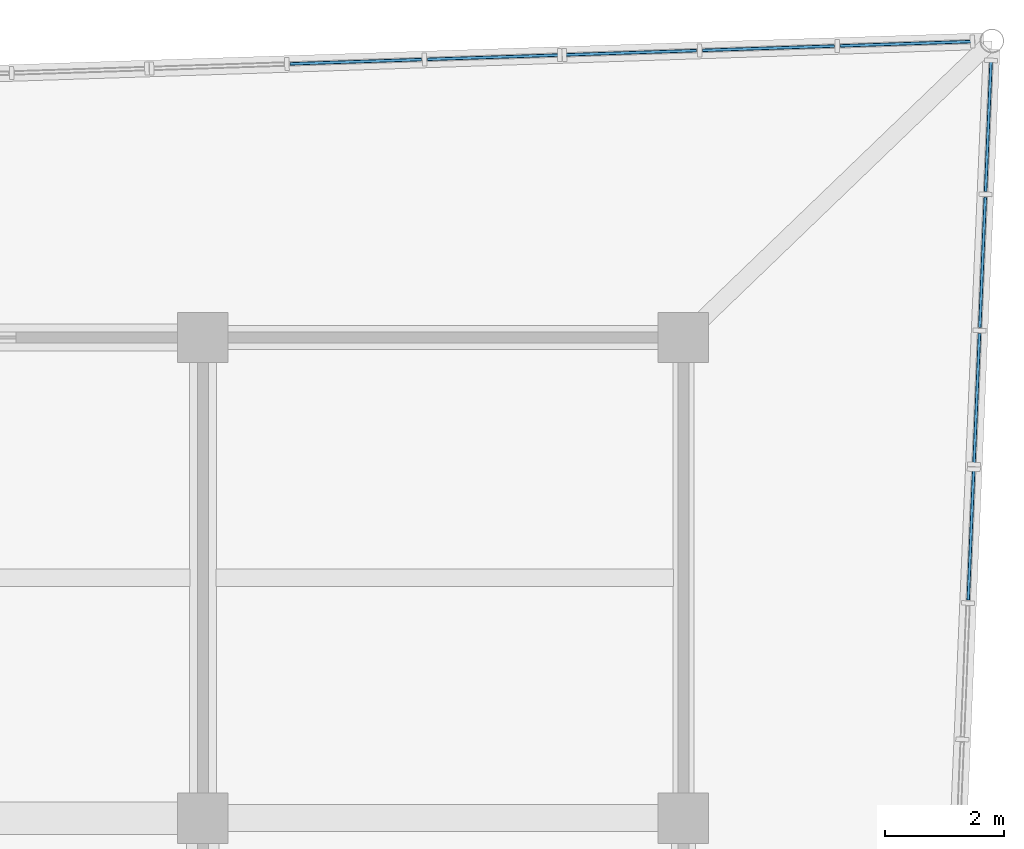
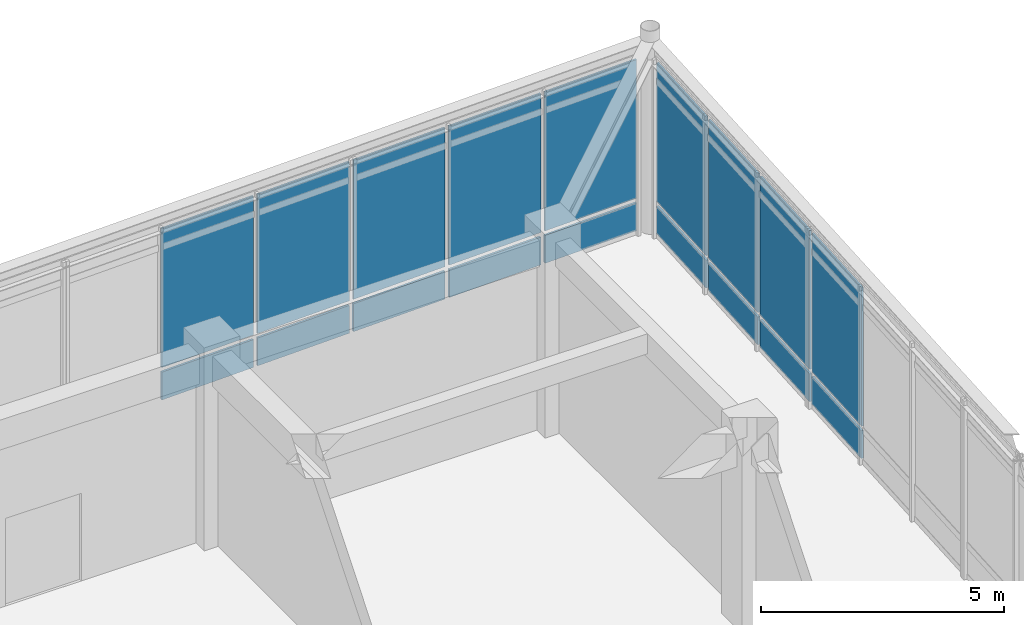
# One storey, part 57 of 99: 18 plates, 4 elements without a shape of their own.
"""IFC4 building model written with IfcOpenShell, lengths in metres."""

from ifc_helpers import new_model, si_unit, direction, frame, origin, origin_2d, place, context, subcontext, project, spatial, rectangle, extrude, material, layer, layer_set, type_object, element, aggregate, save


model = new_model("IFC4")

# Units and contexts
model_context = context("Model", 3, precision=1e-05, world=origin(), true_north=direction((0.0, 1.0)))
body_context = subcontext(model_context, "Body", "Model", "MODEL_VIEW")
ifc_project = project(units=[si_unit("LENGTHUNIT", "METRE"), si_unit("AREAUNIT", "SQUARE_METRE"), si_unit("VOLUMEUNIT", "CUBIC_METRE"), si_unit("PLANEANGLEUNIT", "RADIAN"), si_unit("MASSUNIT", "GRAM", prefix="KILO")], contexts=[model_context])

# Site, building, storey
site_placement = place(None, origin())
site = spatial("IfcSite", under=ifc_project, at=site_placement, CompositionType="ELEMENT")
building_placement = place(site_placement, origin())
building = spatial("IfcBuilding", under=site, at=building_placement, Name="Vaudrelin Polytechnic", CompositionType="ELEMENT")
storey_placement = place(building_placement, origin())
storey = spatial("IfcBuildingStorey", under=building, at=storey_placement, Name="L00", CompositionType="ELEMENT", Elevation=0.0)

# Curtain wall, plates
ifc_material_1 = material(Name="Thermally broken anodised aluminium AA 6063-T6 and low-e triple glazing", Category="aluminium")
ifc_layer_1 = layer(ifc_material_1, 0.199951171875)
ifc_layer_set_1 = layer_set([ifc_layer_1], Name="Thermally broken anodised aluminium AA 6063-T6 and low-e triple glazing")
curtain_wall_type = type_object("IfcCurtainWallType", Name="CW-CW-LAB", PredefinedType="USERDEFINED", material=ifc_layer_set_1)
curtain_wall_1_placement = place(storey_placement, origin())
curtain_wall_1 = element("IfcCurtainWall", 1, at=curtain_wall_1_placement, inside=storey, type_object=curtain_wall_type, Name="Curtain wall L00 NEP_2_1", ObjectType="CURTAIN WALL", PredefinedType="USERDEFINED")
ifc_material_2 = material(Name="Insulated ceramic-frit spandrel glass panel", Category="glass")
ifc_layer_2 = layer(ifc_material_2, 0.052001953125)
ifc_layer_set_2 = layer_set([ifc_layer_2], Name="Insulated ceramic-frit spandrel glass panel")
plate_type_1 = type_object("IfcPlateType", Name="PLT-GLZ-SPAND", PredefinedType="CURTAIN_PANEL", material=ifc_layer_set_2)
plate_1_placement = place(storey_placement, frame((164.57470703125, 126.149169921875, 0.08984375), z_axis=(0.0, 0.0, 1.0), x_axis=(0.999465454284, 0.032692593862, 0.0)))
plate_1 = element("IfcPlate", 2, at=plate_1_placement, type_object=plate_type_1, Name="NEP_2_1 spandrel panel 2", PredefinedType="CURTAIN_PANEL", context=body_context, shape_type="SweptSolid", body=[
    extrude(rectangle(XDim=2.220703125, YDim=0.052001953125, at=origin_2d()), origin(), (0.0, 0.0, 1.0), 0.699951171875),
])
plate_2_placement = place(storey_placement, frame((166.89404296875, 126.22509765625, 0.08984375), z_axis=(0.0, 0.0, 1.0), x_axis=(0.999465454284, 0.032692593862, 0.0)))
plate_2 = element("IfcPlate", 3, at=plate_2_placement, type_object=plate_type_1, Name="NEP_2_1 spandrel panel 3", PredefinedType="CURTAIN_PANEL", context=body_context, shape_type="SweptSolid", body=[
    extrude(rectangle(XDim=2.220703125, YDim=0.052001953125, at=origin_2d()), origin(), (0.0, 0.0, 1.0), 0.699951171875),
])

curtain_wall_2_placement = place(storey_placement, origin())
curtain_wall_2 = element("IfcCurtainWall", 4, at=curtain_wall_2_placement, inside=storey, type_object=curtain_wall_type, Name="Curtain wall L00 NEP_2_2", ObjectType="CURTAIN WALL", PredefinedType="USERDEFINED")
plate_3_placement = place(storey_placement, frame((169.21337890625, 126.30078125, 0.08984375), z_axis=(0.0, 0.0, 1.0), x_axis=(0.999465454284, 0.032692593862, 0.0)))
plate_3 = element("IfcPlate", 5, at=plate_3_placement, type_object=plate_type_1, Name="NEP_2_2 spandrel panel 1", PredefinedType="CURTAIN_PANEL", context=body_context, shape_type="SweptSolid", body=[
    extrude(rectangle(XDim=2.220703125, YDim=0.052001953125, at=origin_2d()), origin(), (0.0, 0.0, 1.0), 0.699951171875),
])
plate_4_placement = place(storey_placement, frame((171.53271484375, 126.376708984375, 0.08984375), z_axis=(0.0, 0.0, 1.0), x_axis=(0.999465454284, 0.032692593862, 0.0)))
plate_4 = element("IfcPlate", 6, at=plate_4_placement, type_object=plate_type_1, Name="NEP_2_2 spandrel panel 2", PredefinedType="CURTAIN_PANEL", context=body_context, shape_type="SweptSolid", body=[
    extrude(rectangle(XDim=2.220703125, YDim=0.052001953125, at=origin_2d()), origin(), (0.0, 0.0, 1.0), 0.699951171875),
])
plate_5_placement = place(storey_placement, frame((173.85205078125, 126.45263671875, 0.08984375), z_axis=(0.0, 0.0, 1.0), x_axis=(0.999465454284, 0.032692593862, 0.0)))
plate_5 = element("IfcPlate", 7, at=plate_5_placement, type_object=plate_type_1, Name="NEP_2_2 spandrel panel 3", PredefinedType="CURTAIN_PANEL", context=body_context, shape_type="SweptSolid", body=[
    extrude(rectangle(XDim=2.220703125, YDim=0.052001953125, at=origin_2d()), origin(), (0.0, 0.0, 1.0), 0.699951171875),
])

curtain_wall_3_placement = place(storey_placement, origin())
curtain_wall_3 = element("IfcCurtainWall", 8, at=curtain_wall_3_placement, inside=storey, type_object=curtain_wall_type, Name="Curtain wall L00 NEP_3_0", ObjectType="CURTAIN WALL", PredefinedType="USERDEFINED")
plate_6_placement = place(storey_placement, frame((175.239013671875, 125.063232421875, 0.08984375), z_axis=(0.0, 0.0, 1.0), x_axis=(-0.042419882824, -0.999099871655, 0.0)))
plate_6 = element("IfcPlate", 9, at=plate_6_placement, type_object=plate_type_1, Name="NEP_3_0 spandrel panel 1", PredefinedType="CURTAIN_PANEL", context=body_context, shape_type="SweptSolid", body=[
    extrude(rectangle(XDim=2.19921875, YDim=0.052001953125, at=origin_2d()), origin(), (0.0, 0.0, 1.0), 0.699951171875),
])
plate_7_placement = place(storey_placement, frame((175.1416015625, 122.76611328125, 0.08984375), z_axis=(0.0, 0.0, 1.0), x_axis=(-0.042419882824, -0.999099871655, 0.0)))
plate_7 = element("IfcPlate", 10, at=plate_7_placement, type_object=plate_type_1, Name="NEP_3_0 spandrel panel 2", PredefinedType="CURTAIN_PANEL", context=body_context, shape_type="SweptSolid", body=[
    extrude(rectangle(XDim=2.19921875, YDim=0.052001953125, at=origin_2d()), origin(), (0.0, 0.0, 1.0), 0.699951171875),
])
plate_8_placement = place(storey_placement, frame((175.0439453125, 120.468994140625, 0.08984375), z_axis=(0.0, 0.0, 1.0), x_axis=(-0.042419882824, -0.999099871655, 0.0)))
plate_8 = element("IfcPlate", 11, at=plate_8_placement, type_object=plate_type_1, Name="NEP_3_0 spandrel panel 3", PredefinedType="CURTAIN_PANEL", context=body_context, shape_type="SweptSolid", body=[
    extrude(rectangle(XDim=2.19921875, YDim=0.052001953125, at=origin_2d()), origin(), (0.0, 0.0, 1.0), 0.699951171875),
])

# Curtain wall, plate
curtain_wall_4_placement = place(storey_placement, origin())
curtain_wall_4 = element("IfcCurtainWall", 12, at=curtain_wall_4_placement, inside=storey, type_object=curtain_wall_type, Name="Curtain wall L00 NEP_3_1", ObjectType="CURTAIN WALL", PredefinedType="USERDEFINED")
plate_9_placement = place(storey_placement, frame((174.9462890625, 118.171875, 0.08984375), z_axis=(0.0, 0.0, 1.0), x_axis=(-0.042405411318, -0.999100485983, 0.0)))
plate_9 = element("IfcPlate", 13, at=plate_9_placement, type_object=plate_type_1, Name="NEP_3_1 spandrel panel 1", PredefinedType="CURTAIN_PANEL", context=body_context, shape_type="SweptSolid", body=[
    extrude(rectangle(XDim=2.19921875, YDim=0.052001953125, at=origin_2d()), origin(), (0.0, 0.0, 1.0), 0.699951171875),
])

# Plate
ifc_material_3 = material(Name="Triple low-e argon insulated glazing unit", Category="glass")
ifc_layer_3 = layer(ifc_material_3, 0.0439453125)
ifc_layer_set_3 = layer_set([ifc_layer_3], Name="Triple low-e argon insulated glazing unit")
plate_type_2 = type_object("IfcPlateType", Name="PLT-GLZ-TRIPLE", PredefinedType="CURTAIN_PANEL", material=ifc_layer_set_3)
plate_10_placement = place(storey_placement, frame((164.57470703125, 126.149169921875, 0.89990234375), z_axis=(0.0, 0.0, 1.0), x_axis=(0.999465454284, 0.032692593862, 0.0)))
plate_10 = element("IfcPlate", 14, at=plate_10_placement, type_object=plate_type_2, Name="NEP_2_1 vision panel 2", PredefinedType="CURTAIN_PANEL", context=body_context, shape_type="SweptSolid", body=[
    extrude(rectangle(XDim=2.220703125, YDim=0.0439453125, at=origin_2d()), origin(), (0.0, 0.0, 1.0), 3.489990234375),
])

plate_11_placement = place(storey_placement, frame((166.89404296875, 126.22509765625, 0.89990234375), z_axis=(0.0, 0.0, 1.0), x_axis=(0.999465454284, 0.032692593862, 0.0)))
plate_11 = element("IfcPlate", 15, at=plate_11_placement, type_object=plate_type_2, Name="NEP_2_1 vision panel 3", PredefinedType="CURTAIN_PANEL", context=body_context, shape_type="SweptSolid", body=[
    extrude(rectangle(XDim=2.220703125, YDim=0.0439453125, at=origin_2d()), origin(), (0.0, 0.0, 1.0), 3.489990234375),
])

aggregate(curtain_wall_1, [plate_1, plate_10, plate_2, plate_11])

plate_12_placement = place(storey_placement, frame((169.21337890625, 126.30078125, 0.89990234375), z_axis=(0.0, 0.0, 1.0), x_axis=(0.999465454284, 0.032692593862, 0.0)))
plate_12 = element("IfcPlate", 16, at=plate_12_placement, type_object=plate_type_2, Name="NEP_2_2 vision panel 1", PredefinedType="CURTAIN_PANEL", context=body_context, shape_type="SweptSolid", body=[
    extrude(rectangle(XDim=2.220703125, YDim=0.0439453125, at=origin_2d()), origin(), (0.0, 0.0, 1.0), 3.489990234375),
])

plate_13_placement = place(storey_placement, frame((171.53271484375, 126.376708984375, 0.89990234375), z_axis=(0.0, 0.0, 1.0), x_axis=(0.999465454284, 0.032692593862, 0.0)))
plate_13 = element("IfcPlate", 17, at=plate_13_placement, type_object=plate_type_2, Name="NEP_2_2 vision panel 2", PredefinedType="CURTAIN_PANEL", context=body_context, shape_type="SweptSolid", body=[
    extrude(rectangle(XDim=2.220703125, YDim=0.0439453125, at=origin_2d()), origin(), (0.0, 0.0, 1.0), 3.489990234375),
])

plate_14_placement = place(storey_placement, frame((173.85205078125, 126.45263671875, 0.89990234375), z_axis=(0.0, 0.0, 1.0), x_axis=(0.999465454284, 0.032692593862, 0.0)))
plate_14 = element("IfcPlate", 18, at=plate_14_placement, type_object=plate_type_2, Name="NEP_2_2 vision panel 3", PredefinedType="CURTAIN_PANEL", context=body_context, shape_type="SweptSolid", body=[
    extrude(rectangle(XDim=2.220703125, YDim=0.0439453125, at=origin_2d()), origin(), (0.0, 0.0, 1.0), 3.489990234375),
])

aggregate(curtain_wall_2, [plate_3, plate_12, plate_4, plate_13, plate_5, plate_14])

plate_15_placement = place(storey_placement, frame((175.239013671875, 125.063232421875, 0.89990234375), z_axis=(0.0, 0.0, 1.0), x_axis=(-0.042419882824, -0.999099871655, 0.0)))
plate_15 = element("IfcPlate", 19, at=plate_15_placement, type_object=plate_type_2, Name="NEP_3_0 vision panel 1", PredefinedType="CURTAIN_PANEL", context=body_context, shape_type="SweptSolid", body=[
    extrude(rectangle(XDim=2.19921875, YDim=0.0439453125, at=origin_2d()), origin(), (0.0, 0.0, 1.0), 3.489990234375),
])

plate_16_placement = place(storey_placement, frame((175.1416015625, 122.76611328125, 0.89990234375), z_axis=(0.0, 0.0, 1.0), x_axis=(-0.042419882824, -0.999099871655, 0.0)))
plate_16 = element("IfcPlate", 20, at=plate_16_placement, type_object=plate_type_2, Name="NEP_3_0 vision panel 2", PredefinedType="CURTAIN_PANEL", context=body_context, shape_type="SweptSolid", body=[
    extrude(rectangle(XDim=2.19921875, YDim=0.0439453125, at=origin_2d()), origin(), (0.0, 0.0, 1.0), 3.489990234375),
])

plate_17_placement = place(storey_placement, frame((175.0439453125, 120.468994140625, 0.89990234375), z_axis=(0.0, 0.0, 1.0), x_axis=(-0.042419882824, -0.999099871655, 0.0)))
plate_17 = element("IfcPlate", 21, at=plate_17_placement, type_object=plate_type_2, Name="NEP_3_0 vision panel 3", PredefinedType="CURTAIN_PANEL", context=body_context, shape_type="SweptSolid", body=[
    extrude(rectangle(XDim=2.19921875, YDim=0.0439453125, at=origin_2d()), origin(), (0.0, 0.0, 1.0), 3.489990234375),
])

aggregate(curtain_wall_3, [plate_6, plate_15, plate_7, plate_16, plate_8, plate_17])

plate_18_placement = place(storey_placement, frame((174.9462890625, 118.171875, 0.89990234375), z_axis=(0.0, 0.0, 1.0), x_axis=(-0.042405411318, -0.999100485983, 0.0)))
plate_18 = element("IfcPlate", 22, at=plate_18_placement, type_object=plate_type_2, Name="NEP_3_1 vision panel 1", PredefinedType="CURTAIN_PANEL", context=body_context, shape_type="SweptSolid", body=[
    extrude(rectangle(XDim=2.19921875, YDim=0.0439453125, at=origin_2d()), origin(), (0.0, 0.0, 1.0), 3.489990234375),
])

aggregate(curtain_wall_4, [plate_9, plate_18])

save(model, "model.ifc")
